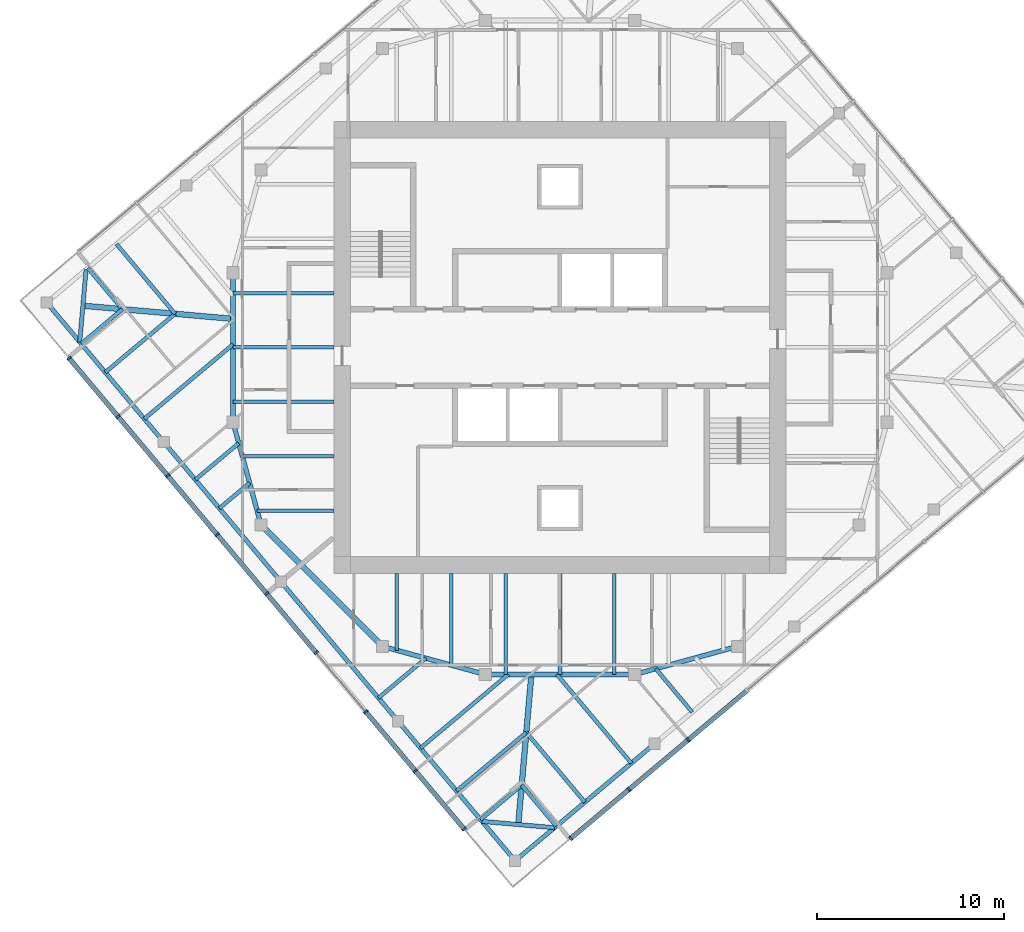
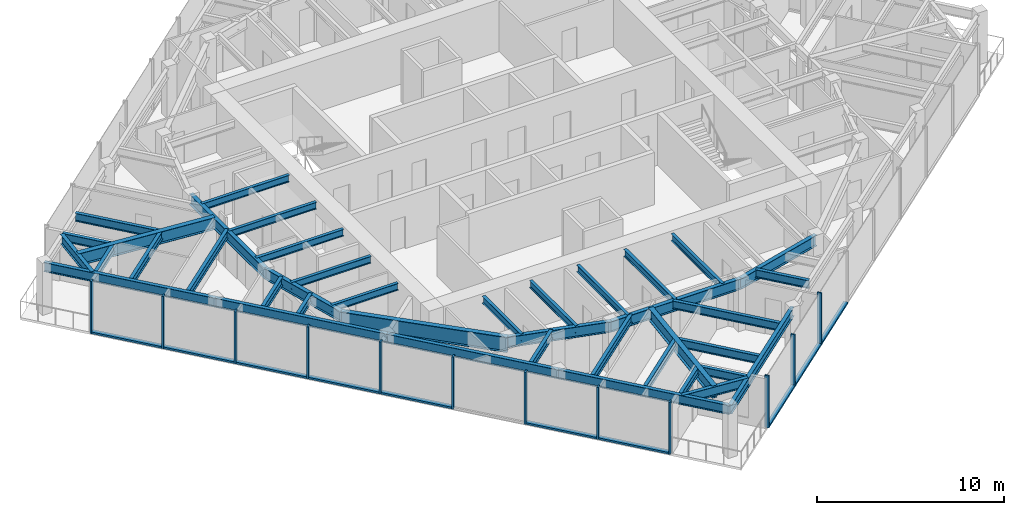
# One storey, part 2 of 11: 40 beams, 22 members, 2 elements without a shape of their own.
"""IFC4 building model written with IfcOpenShell, lengths in metres."""

from ifc_helpers import new_model, si_unit, direction, frame, origin, origin_2d, place, context, subcontext, project, spatial, rectangle, i_section, extrude, material, material_profile, profile_set, type_object, element, aggregate, save


model = new_model("IFC4")

# Units and contexts
model_context = context("Model", 3, precision=1e-05, world=origin(), true_north=direction((0.0, 1.0)))
body_context = subcontext(model_context, "Body", "Model", "MODEL_VIEW")
ifc_project = project(units=[si_unit("LENGTHUNIT", "METRE"), si_unit("AREAUNIT", "SQUARE_METRE"), si_unit("VOLUMEUNIT", "CUBIC_METRE"), si_unit("PLANEANGLEUNIT", "RADIAN"), si_unit("MASSUNIT", "GRAM", prefix="KILO")], contexts=[model_context])

# Site, building, storey
site_placement = place(None, origin())
site = spatial("IfcSite", under=ifc_project, at=site_placement, CompositionType="ELEMENT")
building_placement = place(site_placement, origin())
building = spatial("IfcBuilding", under=site, at=building_placement, Name="Torsade Residences", CompositionType="ELEMENT")
storey_placement = place(building_placement, frame((0.0, 0.0, 276.0)))
storey = spatial("IfcBuildingStorey", under=building, at=storey_placement, Name="L76", CompositionType="ELEMENT", Elevation=276.0)

# Beams
ifc_material_1 = material(Name="Steel grade 300", Category="steel")
ifc_material_profile_1 = material_profile(ifc_material_1, i_section(OverallWidth=0.300048828125, OverallDepth=0.800048828125, WebThickness=0.010009765625, FlangeThickness=0.02001953125, at=origin_2d()), Name="800WB146")
ifc_profile_set_1 = profile_set([ifc_material_profile_1], Name="Steel grade 300")
beam_type_1 = type_object("IfcBeamType", Name="CORNER GIRDER 800WB146", PredefinedType="BEAM", material=ifc_profile_set_1)
for number, where, z_axis, x_axis, name in (
    (1, (37.765869140625, 4.46484375, 2.85009765625), (0.087172957961, 0.996193191806, 0.0), (-0.996193191806, 0.087172957961, 0.0), "Corner girder 01 L77"),
    (2, (14.46484375, 32.234130859375, 2.85009765625), (0.996193191806, -0.087172957961, 0.0), (0.087172957961, 0.996193191806, 0.0), "Corner girder 13 L77"),
):
    element("IfcBeam", number, at=place(storey_placement, frame(where, z_axis=z_axis, x_axis=x_axis)), inside=storey, type_object=beam_type_1, Name=name, PredefinedType="BEAM", context=body_context, shape_type="SweptSolid", body=[
        extrude(i_section(OverallWidth=0.300048828125, OverallDepth=0.800048828125, WebThickness=0.010009765625, FlangeThickness=0.02001953125, at=origin_2d()), origin(), (0.0, 0.0, 1.0), 8.06591796875),
    ])
ifc_material_2 = material(Name="Steel grade 300", Category="steel")
ifc_material_profile_2 = material_profile(ifc_material_2, i_section(OverallWidth=0.22802734375, OverallDepth=0.60205078125, WebThickness=0.010498046875, FlangeThickness=0.014892578125, FilletRadius=0.013916015625, at=origin_2d()), Name="610UB101")
ifc_profile_set_2 = profile_set([ifc_material_profile_2], Name="Steel grade 300")
beam_type_2 = type_object("IfcBeamType", Name="CORNER TRIMMER 610UB101", PredefinedType="BEAM", material=ifc_profile_set_2)
for number, where, z_axis, x_axis, name in (
    (3, (39.703125, 4.29541015625, 2.948974609375), (-0.996196646947, 0.087133464362, 0.0), (-0.087133464362, -0.996196646947, 0.0), "Corner trimmer 01 L77"),
    (4, (14.29541015625, 30.296875, 2.948974609375), (0.087133464362, 0.996196646947, 0.0), (-0.996196646947, 0.087133464362, 0.0), "Corner trimmer 13 L77"),
):
    element("IfcBeam", number, at=place(storey_placement, frame(where, z_axis=z_axis, x_axis=x_axis)), inside=storey, type_object=beam_type_2, Name=name, PredefinedType="BEAM", context=body_context, shape_type="SweptSolid", body=[
        extrude(i_section(OverallWidth=0.22802734375, OverallDepth=0.60205078125, WebThickness=0.010498046875, FlangeThickness=0.014892578125, FilletRadius=0.013916015625, at=origin_2d()), origin(), (0.0, 0.0, 1.0), 3.88916015625),
    ])
ifc_material_3 = material(Name="Steel grade 300", Category="steel")
ifc_material_profile_3 = material_profile(ifc_material_3, i_section(OverallWidth=0.22802734375, OverallDepth=0.60205078125, WebThickness=0.010498046875, FlangeThickness=0.014892578125, FilletRadius=0.013916015625, at=origin_2d()), Name="610UB101")
ifc_profile_set_3 = profile_set([ifc_material_profile_3], Name="Steel grade 300")
beam_type_3 = type_object("IfcBeamType", Name="EDGE BEAM 610UB101", PredefinedType="SPANDREL", material=ifc_profile_set_3)
for number, where, z_axis, x_axis, name in (
    (5, (37.596435546875, 2.52783203125, 2.948974609375), (0.766051532934, 0.642779160279, 0.0), (-0.642779160279, 0.766051532934, 0.0), "Edge beam 01 L77"),
    (6, (12.52783203125, 32.403564453125, 2.948974609375), (0.642779160279, -0.766051532934, 0.0), (0.766051532934, 0.642779160279, 0.0), "Edge beam 13 L77"),
    (7, (18.794921875, 24.9345703125, 2.948974609375), (0.642779160279, -0.766051532934, 0.0), (0.766051532934, 0.642779160279, 0.0), "Edge beam 14 L77"),
    (8, (25.06201171875, 17.465576171875, 2.948974609375), (0.642806184154, -0.766028856906, 0.0), (0.766028856906, 0.642806184154, 0.0), "Edge beam 15 L77"),
    (9, (31.329345703125, 9.996826171875, 2.948974609375), (0.642779160279, -0.766051532934, 0.0), (0.766051532934, 0.642779160279, 0.0), "Edge beam 16 L77"),
):
    element("IfcBeam", number, at=place(storey_placement, frame(where, z_axis=z_axis, x_axis=x_axis)), inside=storey, type_object=beam_type_3, Name=name, PredefinedType="SPANDREL", context=body_context, shape_type="SweptSolid", body=[
        extrude(i_section(OverallWidth=0.22802734375, OverallDepth=0.60205078125, WebThickness=0.010498046875, FlangeThickness=0.014892578125, FilletRadius=0.013916015625, at=origin_2d()), origin(), (0.0, 0.0, 1.0), 9.75),
    ])

# Curtain wall, members
ifc_material_4 = material(Name="Aluminium and glass", Category="aluminium")
curtain_wall_type = type_object("IfcCurtainWallType", Name="FRITTED GLASS CURTAIN WALL HIGH ZONE", PredefinedType="NOTDEFINED", material=ifc_material_4)
curtain_wall_1_placement = place(storey_placement, origin())
curtain_wall_1 = element("IfcCurtainWall", 10, at=curtain_wall_1_placement, inside=storey, type_object=curtain_wall_type, Name="Curtain wall L76 face 1", PredefinedType="NOTDEFINED")
ifc_material_5 = material(Name="Aluminium mullion", Category="aluminium")
ifc_material_profile_4 = material_profile(ifc_material_5, rectangle(XDim=0.25, YDim=0.10009765625, at=origin_2d()), Name="HIGH ZONE CURTAIN WALL MULLION 250x100")
ifc_profile_set_4 = profile_set([ifc_material_profile_4], Name="Aluminium mullion")
member_type_1 = type_object("IfcMemberType", Name="HIGH ZONE CURTAIN WALL MULLION 250x100", PredefinedType="MULLION", material=ifc_profile_set_4)
member_1_placement = place(storey_placement, frame((40.57568359375, 3.72216796875, 0.0), z_axis=(0.0, 0.0, 1.0), x_axis=(-0.642787616853, 0.766044437106, 0.0)))
member_1 = element("IfcMember", 11, at=member_1_placement, type_object=member_type_1, Name="Mullion 1", PredefinedType="MULLION", context=body_context, shape_type="SweptSolid", body=[
    extrude(rectangle(XDim=0.25, YDim=0.10009765625, at=origin_2d()), origin(), (0.0, 0.0, 1.0), 3.39990234375),
])
member_2_placement = place(storey_placement, frame((43.697265625, 6.341552734375, 0.0), z_axis=(0.0, 0.0, 1.0), x_axis=(-0.642787616853, 0.766044437106, 0.0)))
member_2 = element("IfcMember", 12, at=member_2_placement, type_object=member_type_1, Name="Mullion 2", PredefinedType="MULLION", context=body_context, shape_type="SweptSolid", body=[
    extrude(rectangle(XDim=0.25, YDim=0.10009765625, at=origin_2d()), origin(), (0.0, 0.0, 1.0), 3.39990234375),
])
member_3_placement = place(storey_placement, frame((46.857177734375, 8.9931640625, 0.0), z_axis=(0.0, 0.0, 1.0), x_axis=(-0.642787616853, 0.766044437106, 0.0)))
member_3 = element("IfcMember", 13, at=member_3_placement, type_object=member_type_1, Name="Mullion 3", PredefinedType="MULLION", context=body_context, shape_type="SweptSolid", body=[
    extrude(rectangle(XDim=0.25, YDim=0.10009765625, at=origin_2d()), origin(), (0.0, 0.0, 1.0), 3.39990234375),
])

curtain_wall_2_placement = place(storey_placement, origin())
curtain_wall_2 = element("IfcCurtainWall", 14, at=curtain_wall_2_placement, inside=storey, type_object=curtain_wall_type, Name="Curtain wall L76 face 10", PredefinedType="NOTDEFINED")
member_4_placement = place(storey_placement, frame((13.72216796875, 29.42431640625, 0.0), z_axis=(0.0, 0.0, 1.0), x_axis=(0.766044437106, 0.642787616853, 0.0)))
member_4 = element("IfcMember", 15, at=member_4_placement, type_object=member_type_1, Name="Mullion 1", PredefinedType="MULLION", context=body_context, shape_type="SweptSolid", body=[
    extrude(rectangle(XDim=0.25, YDim=0.10009765625, at=origin_2d()), origin(), (0.0, 0.0, 1.0), 3.39990234375),
])
member_5_placement = place(storey_placement, frame((16.341552734375, 26.302734375, 0.0), z_axis=(0.0, 0.0, 1.0), x_axis=(0.766044437106, 0.642787616853, 0.0)))
member_5 = element("IfcMember", 16, at=member_5_placement, type_object=member_type_1, Name="Mullion 2", PredefinedType="MULLION", context=body_context, shape_type="SweptSolid", body=[
    extrude(rectangle(XDim=0.25, YDim=0.10009765625, at=origin_2d()), origin(), (0.0, 0.0, 1.0), 3.39990234375),
])
member_6_placement = place(storey_placement, frame((18.9931640625, 23.142822265625, 0.0), z_axis=(0.0, 0.0, 1.0), x_axis=(0.766044437106, 0.642787616853, 0.0)))
member_6 = element("IfcMember", 17, at=member_6_placement, type_object=member_type_1, Name="Mullion 3", PredefinedType="MULLION", context=body_context, shape_type="SweptSolid", body=[
    extrude(rectangle(XDim=0.25, YDim=0.10009765625, at=origin_2d()), origin(), (0.0, 0.0, 1.0), 3.39990234375),
])
member_7_placement = place(storey_placement, frame((21.64453125, 19.982666015625, 0.0), z_axis=(0.0, 0.0, 1.0), x_axis=(0.766044437106, 0.642787616853, 0.0)))
member_7 = element("IfcMember", 18, at=member_7_placement, type_object=member_type_1, Name="Mullion 4", PredefinedType="MULLION", context=body_context, shape_type="SweptSolid", body=[
    extrude(rectangle(XDim=0.25, YDim=0.10009765625, at=origin_2d()), origin(), (0.0, 0.0, 1.0), 3.39990234375),
])
member_8_placement = place(storey_placement, frame((24.296142578125, 16.82275390625, 0.0), z_axis=(0.0, 0.0, 1.0), x_axis=(0.766044437106, 0.642787616853, 0.0)))
member_8 = element("IfcMember", 19, at=member_8_placement, type_object=member_type_1, Name="Mullion 5", PredefinedType="MULLION", context=body_context, shape_type="SweptSolid", body=[
    extrude(rectangle(XDim=0.25, YDim=0.10009765625, at=origin_2d()), origin(), (0.0, 0.0, 1.0), 3.39990234375),
])
member_9_placement = place(storey_placement, frame((26.947509765625, 13.662841796875, 0.0), z_axis=(0.0, 0.0, 1.0), x_axis=(0.766044437106, 0.642787616853, 0.0)))
member_9 = element("IfcMember", 20, at=member_9_placement, type_object=member_type_1, Name="Mullion 6", PredefinedType="MULLION", context=body_context, shape_type="SweptSolid", body=[
    extrude(rectangle(XDim=0.25, YDim=0.10009765625, at=origin_2d()), origin(), (0.0, 0.0, 1.0), 3.39990234375),
])
member_10_placement = place(storey_placement, frame((29.59912109375, 10.5029296875, 0.0), z_axis=(0.0, 0.0, 1.0), x_axis=(0.766044437106, 0.642787616853, 0.0)))
member_10 = element("IfcMember", 21, at=member_10_placement, type_object=member_type_1, Name="Mullion 7", PredefinedType="MULLION", context=body_context, shape_type="SweptSolid", body=[
    extrude(rectangle(XDim=0.25, YDim=0.10009765625, at=origin_2d()), origin(), (0.0, 0.0, 1.0), 3.39990234375),
])
member_11_placement = place(storey_placement, frame((32.25048828125, 7.343017578125, 0.0), z_axis=(0.0, 0.0, 1.0), x_axis=(0.766044437106, 0.642787616853, 0.0)))
member_11 = element("IfcMember", 22, at=member_11_placement, type_object=member_type_1, Name="Mullion 8", PredefinedType="MULLION", context=body_context, shape_type="SweptSolid", body=[
    extrude(rectangle(XDim=0.25, YDim=0.10009765625, at=origin_2d()), origin(), (0.0, 0.0, 1.0), 3.39990234375),
])
member_12_placement = place(storey_placement, frame((34.869873046875, 4.221435546875, 0.0), z_axis=(0.0, 0.0, 1.0), x_axis=(0.766044437106, 0.642787616853, 0.0)))
member_12 = element("IfcMember", 23, at=member_12_placement, type_object=member_type_1, Name="Mullion 9", PredefinedType="MULLION", context=body_context, shape_type="SweptSolid", body=[
    extrude(rectangle(XDim=0.25, YDim=0.10009765625, at=origin_2d()), origin(), (0.0, 0.0, 1.0), 3.39990234375),
])

# Member
ifc_material_6 = material(Name="Aluminium transom", Category="aluminium")
ifc_material_profile_5 = material_profile(ifc_material_6, rectangle(XDim=0.25, YDim=0.1201171875, at=origin_2d()), Name="HIGH ZONE CURTAIN WALL TRANSOM 250x120")
ifc_profile_set_5 = profile_set([ifc_material_profile_5], Name="Aluminium transom")
member_type_2 = type_object("IfcMemberType", Name="HIGH ZONE CURTAIN WALL TRANSOM 250x120", PredefinedType="USERDEFINED", material=ifc_profile_set_5)
member_13_placement = place(storey_placement, frame((40.614013671875, 3.75439453125, 0.06005859375), z_axis=(0.766021778456, 0.642814619413, 0.0), x_axis=(-0.642814619413, 0.766021778456, 0.0)))
member_13 = element("IfcMember", 24, at=member_13_placement, type_object=member_type_2, Name="Transom 1.1", ObjectType="TRANSOM", PredefinedType="USERDEFINED", context=body_context, shape_type="SweptSolid", body=[
    extrude(rectangle(XDim=0.25, YDim=0.1201171875, at=origin_2d()), origin(), (0.0, 0.0, 1.0), 3.97509765625),
])

member_14_placement = place(storey_placement, frame((43.735595703125, 6.373779296875, 0.06005859375), z_axis=(0.766069182322, 0.6427581255, 0.0), x_axis=(-0.6427581255, 0.766069182322, 0.0)))
member_14 = element("IfcMember", 25, at=member_14_placement, type_object=member_type_2, Name="Transom 2.1", ObjectType="TRANSOM", PredefinedType="USERDEFINED", context=body_context, shape_type="SweptSolid", body=[
    extrude(rectangle(XDim=0.25, YDim=0.1201171875, at=origin_2d()), origin(), (0.0, 0.0, 1.0), 4.025146484375),
])

member_15_placement = place(storey_placement, frame((46.8955078125, 9.025146484375, 0.06005859375), z_axis=(0.766039316443, 0.642793719372, 0.0), x_axis=(-0.642793719372, 0.766039316443, 0.0)))
member_15 = element("IfcMember", 26, at=member_15_placement, type_object=member_type_2, Name="Transom 3.1", ObjectType="TRANSOM", PredefinedType="USERDEFINED", context=body_context, shape_type="SweptSolid", body=[
    extrude(rectangle(XDim=0.25, YDim=0.1201171875, at=origin_2d()), origin(), (0.0, 0.0, 1.0), 4.025146484375),
])

aggregate(curtain_wall_1, [member_1, member_2, member_3, member_13, member_14, member_15])

member_16_placement = place(storey_placement, frame((13.75439453125, 29.385986328125, 0.06005859375), z_axis=(0.642814619413, -0.766021778456, 0.0), x_axis=(0.766021778456, 0.642814619413, 0.0)))
member_16 = element("IfcMember", 27, at=member_16_placement, type_object=member_type_2, Name="Transom 1.1", ObjectType="TRANSOM", PredefinedType="USERDEFINED", context=body_context, shape_type="SweptSolid", body=[
    extrude(rectangle(XDim=0.25, YDim=0.1201171875, at=origin_2d()), origin(), (0.0, 0.0, 1.0), 3.97509765625),
])

member_17_placement = place(storey_placement, frame((16.373779296875, 26.264404296875, 0.06005859375), z_axis=(0.6427581255, -0.766069182322, 0.0), x_axis=(0.766069182322, 0.6427581255, 0.0)))
member_17 = element("IfcMember", 28, at=member_17_placement, type_object=member_type_2, Name="Transom 2.1", ObjectType="TRANSOM", PredefinedType="USERDEFINED", context=body_context, shape_type="SweptSolid", body=[
    extrude(rectangle(XDim=0.25, YDim=0.1201171875, at=origin_2d()), origin(), (0.0, 0.0, 1.0), 4.025146484375),
])

member_18_placement = place(storey_placement, frame((19.025146484375, 23.1044921875, 0.06005859375), z_axis=(0.642793719372, -0.766039316443, 0.0), x_axis=(0.766039316443, 0.642793719372, 0.0)))
member_18 = element("IfcMember", 29, at=member_18_placement, type_object=member_type_2, Name="Transom 3.1", ObjectType="TRANSOM", PredefinedType="USERDEFINED", context=body_context, shape_type="SweptSolid", body=[
    extrude(rectangle(XDim=0.25, YDim=0.1201171875, at=origin_2d()), origin(), (0.0, 0.0, 1.0), 4.025146484375),
])

member_19_placement = place(storey_placement, frame((21.6767578125, 19.944580078125, 0.06005859375), z_axis=(0.6427581255, -0.766069182322, 0.0), x_axis=(0.766069182322, 0.6427581255, 0.0)))
member_19 = element("IfcMember", 30, at=member_19_placement, type_object=member_type_2, Name="Transom 4.1", ObjectType="TRANSOM", PredefinedType="USERDEFINED", context=body_context, shape_type="SweptSolid", body=[
    extrude(rectangle(XDim=0.25, YDim=0.1201171875, at=origin_2d()), origin(), (0.0, 0.0, 1.0), 4.025146484375),
])

member_20_placement = place(storey_placement, frame((24.328125, 16.78466796875, 0.06005859375), z_axis=(0.642793719372, -0.766039316443, 0.0), x_axis=(0.766039316443, 0.642793719372, 0.0)))
member_20 = element("IfcMember", 31, at=member_20_placement, type_object=member_type_2, Name="Transom 5.1", ObjectType="TRANSOM", PredefinedType="USERDEFINED", context=body_context, shape_type="SweptSolid", body=[
    extrude(rectangle(XDim=0.25, YDim=0.1201171875, at=origin_2d()), origin(), (0.0, 0.0, 1.0), 4.025146484375),
])

member_21_placement = place(storey_placement, frame((29.63134765625, 10.464599609375, 0.06005859375), z_axis=(0.642787992616, -0.766044121803, 0.0), x_axis=(0.766044121803, 0.642787992616, 0.0)))
member_21 = element("IfcMember", 32, at=member_21_placement, type_object=member_type_2, Name="Transom 7.1", ObjectType="TRANSOM", PredefinedType="USERDEFINED", context=body_context, shape_type="SweptSolid", body=[
    extrude(rectangle(XDim=0.25, YDim=0.1201171875, at=origin_2d()), origin(), (0.0, 0.0, 1.0), 4.02490234375),
])

member_22_placement = place(storey_placement, frame((32.28271484375, 7.3046875, 0.06005859375), z_axis=(0.642814619413, -0.766021778456, 0.0), x_axis=(0.766021778456, 0.642814619413, 0.0)))
member_22 = element("IfcMember", 33, at=member_22_placement, type_object=member_type_2, Name="Transom 8.1", ObjectType="TRANSOM", PredefinedType="USERDEFINED", context=body_context, shape_type="SweptSolid", body=[
    extrude(rectangle(XDim=0.25, YDim=0.1201171875, at=origin_2d()), origin(), (0.0, 0.0, 1.0), 3.97509765625),
])

aggregate(curtain_wall_2, [member_4, member_5, member_6, member_7, member_8, member_9, member_10, member_11, member_12, member_16, member_17, member_18, member_19, member_20, member_21, member_22])

# Beams
ifc_material_7 = material(Name="Steel grade 300", Category="steel")
ifc_material_profile_6 = material_profile(ifc_material_7, i_section(OverallWidth=0.18994140625, OverallDepth=0.4541015625, WebThickness=0.008544921875, FlangeThickness=0.0126953125, FilletRadius=0.011474609375, at=origin_2d()), Name="460UB67.1")
ifc_profile_set_6 = profile_set([ifc_material_profile_6], Name="Steel grade 300")
beam_type_4 = type_object("IfcBeamType", Name="INNER FLOOR BEAM 460UB67.1", PredefinedType="JOIST", material=ifc_profile_set_6)
for number, where, z_axis, x_axis, name in (
    (34, (42.91259765625, 17.89990234375, 3.02294921875), (0.0, -1.0, 0.0), (1.0, 0.0, 0.0), "Inner floor beam IS03 L77"),
    (35, (40.0, 17.89990234375, 3.02294921875), (0.0, -1.0, 0.0), (1.0, 0.0, 0.0), "Inner floor beam IS04 L77"),
    (36, (37.08740234375, 17.89990234375, 3.02294921875), (0.0, -1.0, 0.0), (1.0, 0.0, 0.0), "Inner floor beam IS05 L77"),
):
    element("IfcBeam", number, at=place(storey_placement, frame(where, z_axis=z_axis, x_axis=x_axis)), inside=storey, type_object=beam_type_4, Name=name, PredefinedType="JOIST", context=body_context, shape_type="SweptSolid", body=[
        extrude(i_section(OverallWidth=0.18994140625, OverallDepth=0.4541015625, WebThickness=0.008544921875, FlangeThickness=0.0126953125, FilletRadius=0.011474609375, at=origin_2d()), origin(), (0.0, 0.0, 1.0), 5.39990234375),
    ])
beam_1_placement = place(storey_placement, frame((34.175048828125, 17.89990234375, 3.02294921875), z_axis=(0.0, -1.0, 0.0), x_axis=(1.0, 0.0, 0.0)))
element("IfcBeam", 37, at=beam_1_placement, inside=storey, type_object=beam_type_4, Name="Inner floor beam IS06 L77", PredefinedType="JOIST", context=body_context, shape_type="SweptSolid", body=[
    extrude(i_section(OverallWidth=0.18994140625, OverallDepth=0.4541015625, WebThickness=0.008544921875, FlangeThickness=0.0126953125, FilletRadius=0.011474609375, at=origin_2d()), origin(), (0.0, 0.0, 1.0), 4.902099609375),
])
beam_2_placement = place(storey_placement, frame((31.262451171875, 17.89990234375, 3.02294921875), z_axis=(0.0, -1.0, 0.0), x_axis=(1.0, 0.0, 0.0)))
element("IfcBeam", 38, at=beam_2_placement, inside=storey, type_object=beam_type_4, Name="Inner floor beam IS07 L77", PredefinedType="JOIST", context=body_context, shape_type="SweptSolid", body=[
    extrude(i_section(OverallWidth=0.18994140625, OverallDepth=0.4541015625, WebThickness=0.008544921875, FlangeThickness=0.0126953125, FilletRadius=0.011474609375, at=origin_2d()), origin(), (0.0, 0.0, 1.0), 4.10791015625),
])
for number, where, z_axis, x_axis, name in (
    (39, (27.89990234375, 32.91259765625, 3.02294921875), (-1.0, 0.0, 0.0), (0.0, -1.0, 0.0), "Inner floor beam IW03 L77"),
    (40, (27.89990234375, 30.0, 3.02294921875), (-1.0, 0.0, 0.0), (0.0, -1.0, 0.0), "Inner floor beam IW04 L77"),
    (41, (27.89990234375, 27.08740234375, 3.02294921875), (-1.0, 0.0, 0.0), (0.0, -1.0, 0.0), "Inner floor beam IW05 L77"),
):
    element("IfcBeam", number, at=place(storey_placement, frame(where, z_axis=z_axis, x_axis=x_axis)), inside=storey, type_object=beam_type_4, Name=name, PredefinedType="JOIST", context=body_context, shape_type="SweptSolid", body=[
        extrude(i_section(OverallWidth=0.18994140625, OverallDepth=0.4541015625, WebThickness=0.008544921875, FlangeThickness=0.0126953125, FilletRadius=0.011474609375, at=origin_2d()), origin(), (0.0, 0.0, 1.0), 5.39990234375),
    ])
beam_3_placement = place(storey_placement, frame((27.89990234375, 24.175048828125, 3.02294921875), z_axis=(-1.0, 0.0, 0.0), x_axis=(0.0, -1.0, 0.0)))
element("IfcBeam", 42, at=beam_3_placement, inside=storey, type_object=beam_type_4, Name="Inner floor beam IW06 L77", PredefinedType="JOIST", context=body_context, shape_type="SweptSolid", body=[
    extrude(i_section(OverallWidth=0.18994140625, OverallDepth=0.4541015625, WebThickness=0.008544921875, FlangeThickness=0.0126953125, FilletRadius=0.011474609375, at=origin_2d()), origin(), (0.0, 0.0, 1.0), 4.902099609375),
])
beam_4_placement = place(storey_placement, frame((27.89990234375, 21.262451171875, 3.02294921875), z_axis=(-1.0, 0.0, 0.0), x_axis=(0.0, -1.0, 0.0)))
element("IfcBeam", 43, at=beam_4_placement, inside=storey, type_object=beam_type_4, Name="Inner floor beam IW07 L77", PredefinedType="JOIST", context=body_context, shape_type="SweptSolid", body=[
    extrude(i_section(OverallWidth=0.18994140625, OverallDepth=0.4541015625, WebThickness=0.008544921875, FlangeThickness=0.0126953125, FilletRadius=0.011474609375, at=origin_2d()), origin(), (0.0, 0.0, 1.0), 4.10791015625),
])
ifc_material_8 = material(Name="Steel grade 300", Category="steel")
ifc_material_profile_7 = material_profile(ifc_material_8, i_section(OverallWidth=0.300048828125, OverallDepth=1.0, WebThickness=0.01611328125, FlangeThickness=0.028076171875, at=origin_2d()), Name="1000WB215")
ifc_profile_set_7 = profile_set([ifc_material_profile_7], Name="Steel grade 300")
beam_type_5 = type_object("IfcBeamType", Name="RING CORNER GIRDER 1000WB215", PredefinedType="BEAM", material=ifc_profile_set_7)
beam_5_placement = place(storey_placement, frame((24.0, 20.5, 2.75), z_axis=(0.707106781187, -0.707106781187, 0.0), x_axis=(0.707106781187, 0.707106781187, 0.0)))
element("IfcBeam", 44, at=beam_5_placement, inside=storey, type_object=beam_type_5, Name="Ring girder IR11 L77", PredefinedType="BEAM", context=body_context, shape_type="SweptSolid", body=[
    extrude(i_section(OverallWidth=0.300048828125, OverallDepth=1.0, WebThickness=0.01611328125, FlangeThickness=0.028076171875, at=origin_2d()), origin(), (0.0, 0.0, 1.0), 9.1923828125),
])
ifc_material_9 = material(Name="Steel grade 300", Category="steel")
ifc_material_profile_8 = material_profile(ifc_material_9, i_section(OverallWidth=0.25, OverallDepth=0.699951171875, WebThickness=0.010009765625, FlangeThickness=0.02001953125, at=origin_2d()), Name="700WB130")
ifc_profile_set_8 = profile_set([ifc_material_profile_8], Name="Steel grade 300")
beam_type_6 = type_object("IfcBeamType", Name="RING GIRDER 700WB130", PredefinedType="BEAM", material=ifc_profile_set_8)
beam_6_placement = place(storey_placement, frame((22.5, 34.0, 2.89990234375), z_axis=(0.0, -1.0, 0.0), x_axis=(1.0, 0.0, 0.0)))
element("IfcBeam", 45, at=beam_6_placement, inside=storey, type_object=beam_type_6, Name="Ring girder IR09 L77", PredefinedType="BEAM", context=body_context, shape_type="SweptSolid", body=[
    extrude(i_section(OverallWidth=0.25, OverallDepth=0.699951171875, WebThickness=0.010009765625, FlangeThickness=0.02001953125, at=origin_2d()), origin(), (0.0, 0.0, 1.0), 8.0),
])
for number, where, z_axis, x_axis, name in (
    (46, (22.5, 26.0, 2.89990234375), (0.263117405792, -0.964763821238, 0.0), (0.964763821238, 0.263117405792, 0.0), "Ring girder IR10 L77"),
    (47, (30.5, 14.0, 2.89990234375), (0.964763821238, -0.263117405792, 0.0), (0.263117405792, 0.964763821238, 0.0), "Ring girder IR12 L77"),
):
    element("IfcBeam", number, at=place(storey_placement, frame(where, z_axis=z_axis, x_axis=x_axis)), inside=storey, type_object=beam_type_6, Name=name, PredefinedType="BEAM", context=body_context, shape_type="SweptSolid", body=[
        extrude(i_section(OverallWidth=0.25, OverallDepth=0.699951171875, WebThickness=0.010009765625, FlangeThickness=0.02001953125, at=origin_2d()), origin(), (0.0, 0.0, 1.0), 5.700927734375),
    ])
beam_7_placement = place(storey_placement, frame((36.0, 12.5, 2.89990234375), z_axis=(1.0, 0.0, 0.0), x_axis=(0.0, 1.0, 0.0)))
element("IfcBeam", 48, at=beam_7_placement, inside=storey, type_object=beam_type_6, Name="Ring girder IR13 L77", PredefinedType="BEAM", context=body_context, shape_type="SweptSolid", body=[
    extrude(i_section(OverallWidth=0.25, OverallDepth=0.699951171875, WebThickness=0.010009765625, FlangeThickness=0.02001953125, at=origin_2d()), origin(), (0.0, 0.0, 1.0), 8.0),
])
beam_8_placement = place(storey_placement, frame((44.0, 12.5, 2.89990234375), z_axis=(0.964763821238, 0.263117405792, 0.0), x_axis=(-0.263117405792, 0.964763821238, 0.0)))
element("IfcBeam", 49, at=beam_8_placement, inside=storey, type_object=beam_type_6, Name="Ring girder IR14 L77", PredefinedType="BEAM", context=body_context, shape_type="SweptSolid", body=[
    extrude(i_section(OverallWidth=0.25, OverallDepth=0.699951171875, WebThickness=0.010009765625, FlangeThickness=0.02001953125, at=origin_2d()), origin(), (0.0, 0.0, 1.0), 5.700927734375),
])
ifc_material_10 = material(Name="Steel grade 300", Category="steel")
ifc_material_profile_9 = material_profile(ifc_material_10, i_section(OverallWidth=0.208984375, OverallDepth=0.532958984375, WebThickness=0.01025390625, FlangeThickness=0.015625, FilletRadius=0.013916015625, at=origin_2d()), Name="530UB92.4")
ifc_profile_set_9 = profile_set([ifc_material_profile_9], Name="Steel grade 300")
beam_type_7 = type_object("IfcBeamType", Name="SECONDARY BEAM 530UB92.4", PredefinedType="JOIST", material=ifc_profile_set_9)
beam_9_placement = place(storey_placement, frame((39.798828125, 4.375732421875, 2.9833984375), z_axis=(-0.642761807001, 0.766066093402, 0.0), x_axis=(-0.766066093402, -0.642761807001, 0.0)))
element("IfcBeam", 50, at=beam_9_placement, inside=storey, type_object=beam_type_7, Name="Floor beam FS01 L77", PredefinedType="JOIST", context=body_context, shape_type="SweptSolid", body=[
    extrude(i_section(OverallWidth=0.208984375, OverallDepth=0.532958984375, WebThickness=0.01025390625, FlangeThickness=0.015625, FilletRadius=0.013916015625, at=origin_2d()), origin(), (0.0, 0.0, 1.0), 2.875),
])
beam_10_placement = place(storey_placement, frame((41.3310546875, 5.661376953125, 2.9833984375), z_axis=(-0.642820877376, 0.766016526982, 0.0), x_axis=(-0.766016526982, -0.642820877376, 0.0)))
element("IfcBeam", 51, at=beam_10_placement, inside=storey, type_object=beam_type_7, Name="Floor beam FS02 L77", PredefinedType="JOIST", context=body_context, shape_type="SweptSolid", body=[
    extrude(i_section(OverallWidth=0.208984375, OverallDepth=0.532958984375, WebThickness=0.01025390625, FlangeThickness=0.015625, FilletRadius=0.013916015625, at=origin_2d()), origin(), (0.0, 0.0, 1.0), 4.875),
])
beam_11_placement = place(storey_placement, frame((43.820556640625, 7.75048828125, 2.9833984375), z_axis=(-0.642791209238, 0.766041422722, 0.0), x_axis=(-0.766041422722, -0.642791209238, 0.0)))
element("IfcBeam", 52, at=beam_11_placement, inside=storey, type_object=beam_type_7, Name="Floor beam FS03 L77", PredefinedType="JOIST", context=body_context, shape_type="SweptSolid", body=[
    extrude(i_section(OverallWidth=0.208984375, OverallDepth=0.532958984375, WebThickness=0.01025390625, FlangeThickness=0.015625, FilletRadius=0.013916015625, at=origin_2d()), origin(), (0.0, 0.0, 1.0), 6.199951171875),
])
beam_12_placement = place(storey_placement, frame((47.076171875, 10.482177734375, 2.9833984375), z_axis=(-0.64274480196, 0.766080361029, 0.0), x_axis=(-0.766080361029, -0.64274480196, 0.0)))
element("IfcBeam", 53, at=beam_12_placement, inside=storey, type_object=beam_type_7, Name="Floor beam FS04 L77", PredefinedType="JOIST", context=body_context, shape_type="SweptSolid", body=[
    extrude(i_section(OverallWidth=0.208984375, OverallDepth=0.532958984375, WebThickness=0.01025390625, FlangeThickness=0.015625, FilletRadius=0.013916015625, at=origin_2d()), origin(), (0.0, 0.0, 1.0), 3.03466796875),
])
beam_13_placement = place(storey_placement, frame((16.26220703125, 35.537109375, 2.9833984375), z_axis=(0.642791490223, -0.766041186946, 0.0), x_axis=(0.766041186946, 0.642791490223, 0.0)))
element("IfcBeam", 54, at=beam_13_placement, inside=storey, type_object=beam_type_7, Name="Floor beam FN11 L77", PredefinedType="JOIST", context=body_context, shape_type="SweptSolid", body=[
    extrude(i_section(OverallWidth=0.208984375, OverallDepth=0.532958984375, WebThickness=0.01025390625, FlangeThickness=0.015625, FilletRadius=0.013916015625, at=origin_2d()), origin(), (0.0, 0.0, 1.0), 4.875),
])
for number, where, z_axis, x_axis, name in (
    (55, (14.730224609375, 34.25146484375, 2.9833984375), (0.642761807001, -0.766066093402, 0.0), (0.766066093402, 0.642761807001, 0.0), "Floor beam FN12 L77"),
    (56, (14.375732421875, 30.201171875, 2.9833984375), (0.766066093402, 0.642761807001, 0.0), (-0.642761807001, 0.766066093402, 0.0), "Floor beam FW01 L77"),
):
    element("IfcBeam", number, at=place(storey_placement, frame(where, z_axis=z_axis, x_axis=x_axis)), inside=storey, type_object=beam_type_7, Name=name, PredefinedType="JOIST", context=body_context, shape_type="SweptSolid", body=[
        extrude(i_section(OverallWidth=0.208984375, OverallDepth=0.532958984375, WebThickness=0.01025390625, FlangeThickness=0.015625, FilletRadius=0.013916015625, at=origin_2d()), origin(), (0.0, 0.0, 1.0), 2.875),
    ])
beam_14_placement = place(storey_placement, frame((15.661376953125, 28.6689453125, 2.9833984375), z_axis=(0.766016526982, 0.642820877376, 0.0), x_axis=(-0.642820877376, 0.766016526982, 0.0)))
element("IfcBeam", 57, at=beam_14_placement, inside=storey, type_object=beam_type_7, Name="Floor beam FW02 L77", PredefinedType="JOIST", context=body_context, shape_type="SweptSolid", body=[
    extrude(i_section(OverallWidth=0.208984375, OverallDepth=0.532958984375, WebThickness=0.01025390625, FlangeThickness=0.015625, FilletRadius=0.013916015625, at=origin_2d()), origin(), (0.0, 0.0, 1.0), 4.875),
])
beam_15_placement = place(storey_placement, frame((17.75048828125, 26.179443359375, 2.9833984375), z_axis=(0.766041422722, 0.642791209238, 0.0), x_axis=(-0.642791209238, 0.766041422722, 0.0)))
element("IfcBeam", 58, at=beam_15_placement, inside=storey, type_object=beam_type_7, Name="Floor beam FW03 L77", PredefinedType="JOIST", context=body_context, shape_type="SweptSolid", body=[
    extrude(i_section(OverallWidth=0.208984375, OverallDepth=0.532958984375, WebThickness=0.01025390625, FlangeThickness=0.015625, FilletRadius=0.013916015625, at=origin_2d()), origin(), (0.0, 0.0, 1.0), 6.199951171875),
])
beam_16_placement = place(storey_placement, frame((20.482177734375, 22.923828125, 2.9833984375), z_axis=(0.766080361029, 0.64274480196, 0.0), x_axis=(-0.64274480196, 0.766080361029, 0.0)))
element("IfcBeam", 59, at=beam_16_placement, inside=storey, type_object=beam_type_7, Name="Floor beam FW04 L77", PredefinedType="JOIST", context=body_context, shape_type="SweptSolid", body=[
    extrude(i_section(OverallWidth=0.208984375, OverallDepth=0.532958984375, WebThickness=0.01025390625, FlangeThickness=0.015625, FilletRadius=0.013916015625, at=origin_2d()), origin(), (0.0, 0.0, 1.0), 3.03466796875),
])
beam_17_placement = place(storey_placement, frame((21.767822265625, 21.3916015625, 2.9833984375), z_axis=(0.766057560226, 0.642771977004, 0.0), x_axis=(-0.642771977004, 0.766057560226, 0.0)))
element("IfcBeam", 60, at=beam_17_placement, inside=storey, type_object=beam_type_7, Name="Floor beam FW05 L77", PredefinedType="JOIST", context=body_context, shape_type="SweptSolid", body=[
    extrude(i_section(OverallWidth=0.208984375, OverallDepth=0.532958984375, WebThickness=0.01025390625, FlangeThickness=0.015625, FilletRadius=0.013916015625, at=origin_2d()), origin(), (0.0, 0.0, 1.0), 2.113037109375),
])
beam_18_placement = place(storey_placement, frame((30.28466796875, 11.241455078125, 2.9833984375), z_axis=(0.766044990879, 0.642786956891, 0.0), x_axis=(-0.642786956891, 0.766044990879, 0.0)))
element("IfcBeam", 61, at=beam_18_placement, inside=storey, type_object=beam_type_7, Name="Floor beam FW09 L77", PredefinedType="JOIST", context=body_context, shape_type="SweptSolid", body=[
    extrude(i_section(OverallWidth=0.208984375, OverallDepth=0.532958984375, WebThickness=0.01025390625, FlangeThickness=0.015625, FilletRadius=0.013916015625, at=origin_2d()), origin(), (0.0, 0.0, 1.0), 3.307861328125),
])
beam_19_placement = place(storey_placement, frame((32.534423828125, 8.560302734375, 2.9833984375), z_axis=(0.766039049329, 0.642794037701, 0.0), x_axis=(-0.642794037701, 0.766039049329, 0.0)))
element("IfcBeam", 62, at=beam_19_placement, inside=storey, type_object=beam_type_7, Name="Floor beam FW10 L77", PredefinedType="JOIST", context=body_context, shape_type="SweptSolid", body=[
    extrude(i_section(OverallWidth=0.208984375, OverallDepth=0.532958984375, WebThickness=0.01025390625, FlangeThickness=0.015625, FilletRadius=0.013916015625, at=origin_2d()), origin(), (0.0, 0.0, 1.0), 6.12890625),
])
beam_20_placement = place(storey_placement, frame((34.462890625, 6.26220703125, 2.9833984375), z_axis=(0.766041186946, 0.642791490223, 0.0), x_axis=(-0.642791490223, 0.766041186946, 0.0)))
element("IfcBeam", 63, at=beam_20_placement, inside=storey, type_object=beam_type_7, Name="Floor beam FW11 L77", PredefinedType="JOIST", context=body_context, shape_type="SweptSolid", body=[
    extrude(i_section(OverallWidth=0.208984375, OverallDepth=0.532958984375, WebThickness=0.01025390625, FlangeThickness=0.015625, FilletRadius=0.013916015625, at=origin_2d()), origin(), (0.0, 0.0, 1.0), 4.875),
])
beam_21_placement = place(storey_placement, frame((35.74853515625, 4.730224609375, 2.9833984375), z_axis=(0.766066093402, 0.642761807001, 0.0), x_axis=(-0.642761807001, 0.766066093402, 0.0)))
element("IfcBeam", 64, at=beam_21_placement, inside=storey, type_object=beam_type_7, Name="Floor beam FW12 L77", PredefinedType="JOIST", context=body_context, shape_type="SweptSolid", body=[
    extrude(i_section(OverallWidth=0.208984375, OverallDepth=0.532958984375, WebThickness=0.01025390625, FlangeThickness=0.015625, FilletRadius=0.013916015625, at=origin_2d()), origin(), (0.0, 0.0, 1.0), 2.875),
])

save(model, "model.ifc")
